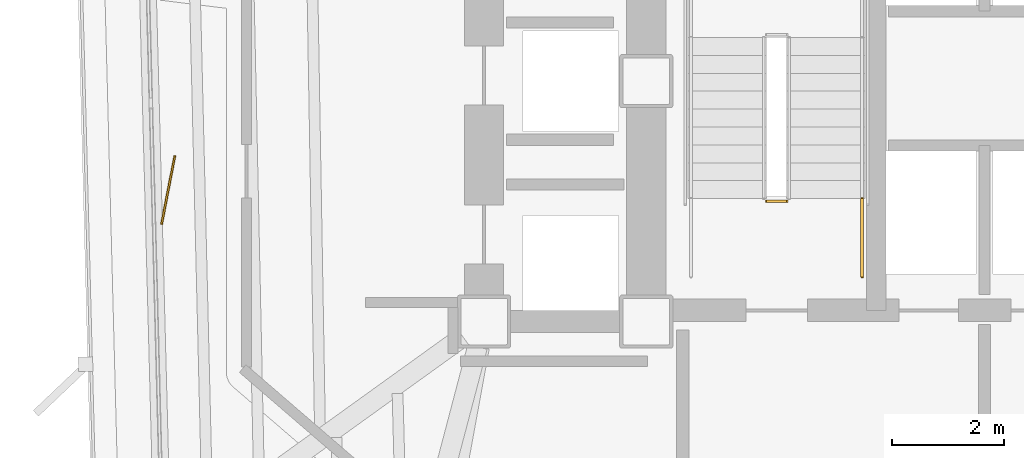
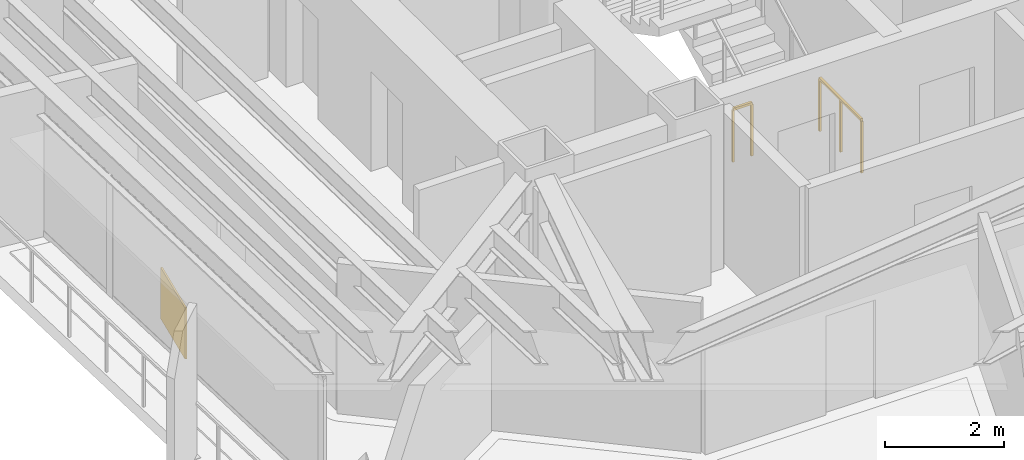
# One storey, part 11 of 14: 2 railings, 1 covering.
"""IFC4 building model written with IfcOpenShell, lengths in metres."""

from ifc_helpers import new_model, si_unit, direction, frame, origin, origin_2d, place, context, subcontext, project, spatial, rectangle, extrude, material, layer, layer_set, type_object, element, save


model = new_model("IFC4")

# Units and contexts
model_context = context("Model", 3, precision=1e-05, world=origin(), true_north=direction((0.0, 1.0)))
body_context = subcontext(model_context, "Body", "Model", "MODEL_VIEW")
ifc_project = project(units=[si_unit("LENGTHUNIT", "METRE"), si_unit("AREAUNIT", "SQUARE_METRE"), si_unit("VOLUMEUNIT", "CUBIC_METRE"), si_unit("PLANEANGLEUNIT", "RADIAN"), si_unit("MASSUNIT", "GRAM", prefix="KILO")], contexts=[model_context])

# Site, building, storey
site_placement = place(None, origin())
site = spatial("IfcSite", under=ifc_project, at=site_placement, CompositionType="ELEMENT")
building_placement = place(site_placement, origin())
building = spatial("IfcBuilding", under=site, at=building_placement, Name="Rocaltana Carrier Exchange", CompositionType="ELEMENT")
storey_placement = place(building_placement, frame((0.0, 0.0, 35.679931640625)))
storey = spatial("IfcBuildingStorey", under=building, at=storey_placement, Name="L11", CompositionType="ELEMENT", Elevation=35.679931640625)

# Railings
ifc_material_1 = material(Name="Powder-Coated Aluminium 6063-T6", Category="aluminium")
ifc_layer_1 = layer(ifc_material_1, 0.048095703125)
ifc_layer_set_1 = layer_set([ifc_layer_1], Name="Powder-Coated Aluminium 6063-T6")
railing_type = type_object("IfcRailingType", Name="Stair Well Guardrail 1100", PredefinedType="GUARDRAIL", material=ifc_layer_set_1)
railing_1_placement = place(storey_placement, frame((-3.5400390625, -2.14990234375, 0.0)))
element("IfcRailing", 1, at=railing_1_placement, inside=storey, type_object=railing_type, Name="L11 ST-1 stair guard 7", PredefinedType="GUARDRAIL", context=body_context, shape_type="SweptSolid", body=[
    extrude(rectangle(XDim=0.048095703125, YDim=0.048095703125, at=origin_2d()), frame((0.0, 0.0, 1.076171875), z_axis=(-1.0, 0.0, 0.0), x_axis=(0.0, -1.0, 0.0)), (0.0, 0.0, 1.0), 0.35986328125),
    extrude(rectangle(XDim=0.0419921875, YDim=0.0419921875, at=origin_2d()), origin(), (0.0, 0.0, 1.0), 1.052001953125),
    extrude(rectangle(XDim=0.0419921875, YDim=0.0419921875, at=origin_2d()), frame((-0.35986328125, 0.0, 0.0)), (0.0, 0.0, 1.0), 1.052001953125),
])
railing_2_placement = place(storey_placement, frame((-2.18994140625, -3.5, 0.0)))
element("IfcRailing", 2, at=railing_2_placement, inside=storey, type_object=railing_type, Name="L11 ST-1 stair guard 8", PredefinedType="GUARDRAIL", context=body_context, shape_type="SweptSolid", body=[
    extrude(rectangle(XDim=0.048095703125, YDim=0.048095703125, at=origin_2d()), frame((0.0, 0.0, 1.076171875), z_axis=(0.0, 1.0, 0.0), x_axis=(-1.0, 0.0, 0.0)), (0.0, 0.0, 1.0), 1.39990234375),
    extrude(rectangle(XDim=0.0419921875, YDim=0.0419921875, at=origin_2d()), origin(), (0.0, 0.0, 1.0), 1.052001953125),
    extrude(rectangle(XDim=0.0419921875, YDim=0.0419921875, at=origin_2d()), frame((0.0, 0.699951171875, 0.0)), (0.0, 0.0, 1.0), 1.052001953125),
    extrude(rectangle(XDim=0.0419921875, YDim=0.0419921875, at=origin_2d()), frame((0.0, 1.39990234375, 0.0)), (0.0, 0.0, 1.0), 1.052001953125),
])

# Covering
ifc_material_2 = material(Name="Honed Piedra Muneca Sandstone", Category="masonry")
ifc_layer_2 = layer(ifc_material_2, 0.034912109375)
ifc_layer_set_2 = layer_set([ifc_layer_2], Name="Honed Piedra Muneca Sandstone")
covering_type = type_object("IfcCoveringType", Name="Stone Facade Cladding 35", PredefinedType="CLADDING", material=ifc_layer_set_2)
covering_placement = place(storey_placement, frame((-14.60009765625, -1.948974609375, 0.0), z_axis=(0.0, 0.0, 1.0), x_axis=(0.190808995377, 0.981627183448, 0.0)))
element("IfcCovering", 3, at=covering_placement, inside=storey, type_object=covering_type, Name="L11 Stone Facade Cladding Panel 1", PredefinedType="CLADDING", context=body_context, shape_type="SweptSolid", body=[
    extrude(rectangle(XDim=1.25, YDim=0.034912109375, at=origin_2d()), origin(), (0.0, 0.0, 1.0), 1.050048828125),
])

save(model, "model.ifc")
